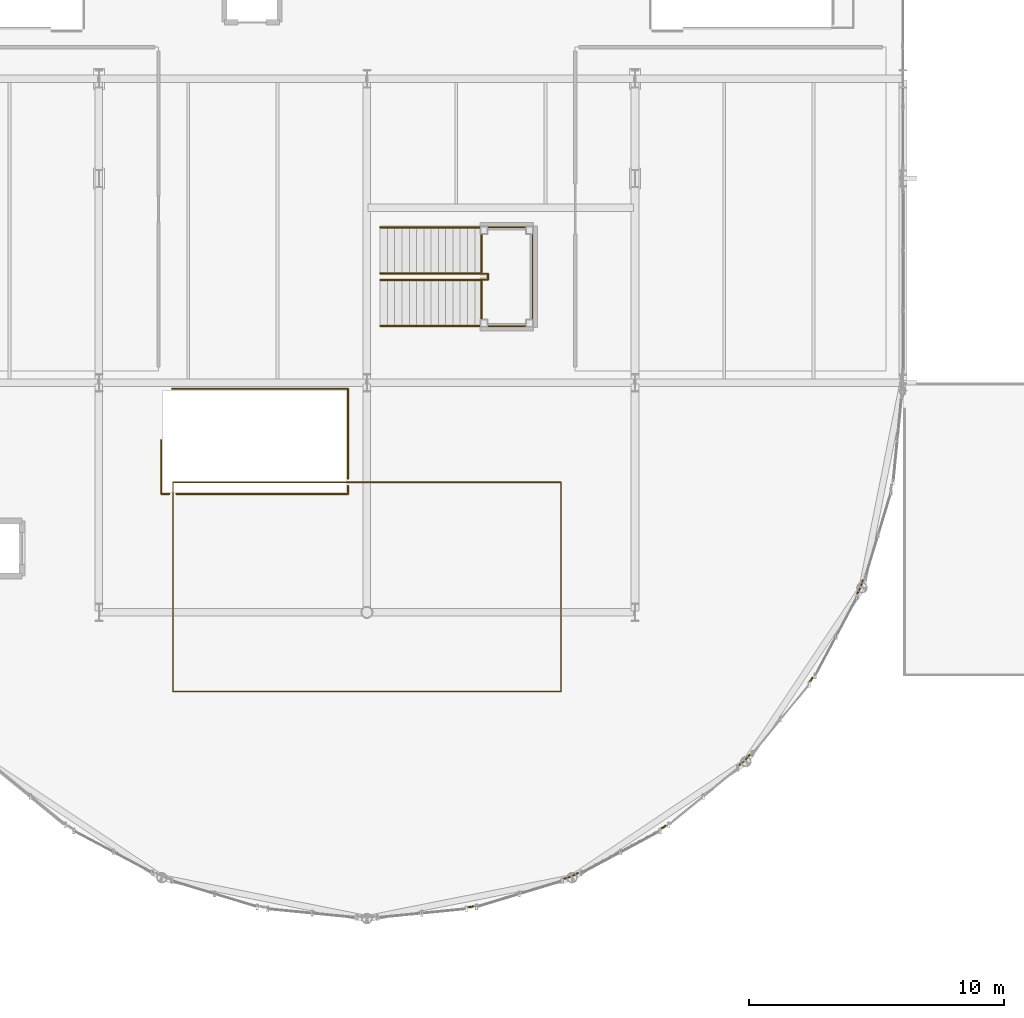
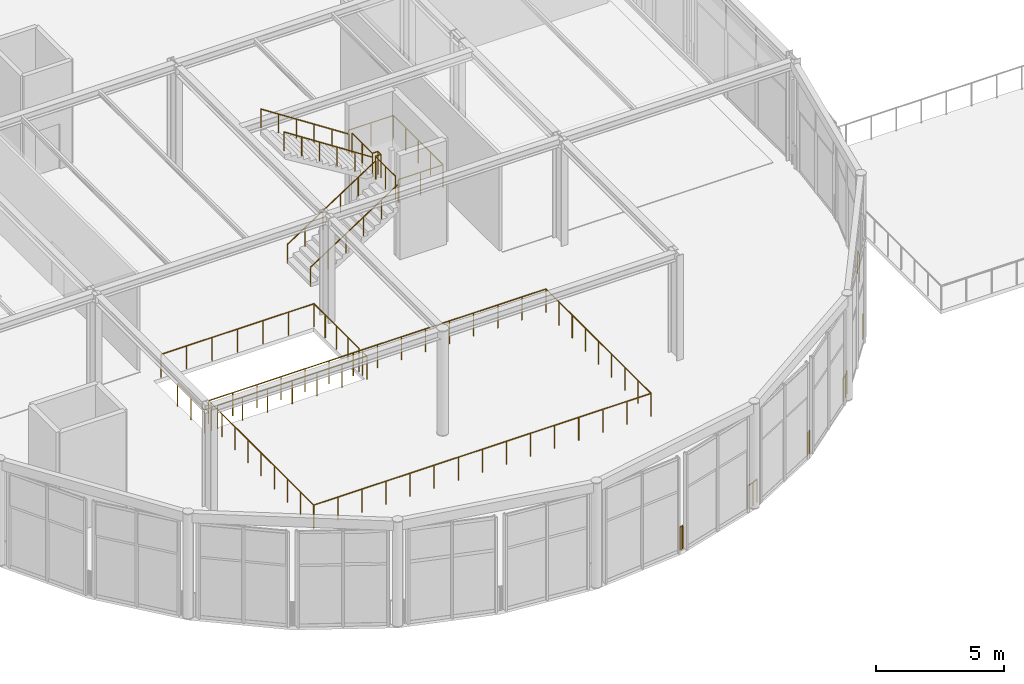
# One storey, part 172 of 195: 17 railings.
"""IFC4 building model written with IfcOpenShell, lengths in metres."""

from ifc_helpers import new_model, si_unit, direction, frame, origin, origin_2d, place, context, subcontext, project, spatial, circle, extrude, material, type_object, element, save


model = new_model("IFC4")

# Units and contexts
model_context = context("Model", 3, precision=1e-05, world=origin(), true_north=direction((0.0, 1.0)))
body_context = subcontext(model_context, "Body", "Model", "MODEL_VIEW")
ifc_project = project(units=[si_unit("LENGTHUNIT", "METRE"), si_unit("AREAUNIT", "SQUARE_METRE"), si_unit("VOLUMEUNIT", "CUBIC_METRE"), si_unit("PLANEANGLEUNIT", "RADIAN"), si_unit("MASSUNIT", "GRAM", prefix="KILO")], contexts=[model_context])

# Site, building, storey
site_placement = place(None, origin())
site = spatial("IfcSite", under=ifc_project, at=site_placement, CompositionType="ELEMENT")
building_placement = place(site_placement, origin())
building = spatial("IfcBuilding", under=site, at=building_placement, Name="Marlcrest Central Station", CompositionType="ELEMENT")
storey_placement = place(building_placement, frame((0.0, 0.0, 9.800048828125)))
storey = spatial("IfcBuildingStorey", under=building, at=storey_placement, Name="L02", CompositionType="ELEMENT", Elevation=9.800048828125)

# Railings
ifc_material_1 = material(Name="Stainless steel and laminated glass concourse balustrade", Category="steel")
railing_type_1 = type_object("IfcRailingType", Name="GR-02", PredefinedType="BALUSTRADE", material=ifc_material_1)
railing_1_placement = place(storey_placement, frame((100.39990234375, 10.39990234375, 0.0)))
element("IfcRailing", 1, at=railing_1_placement, inside=storey, type_object=railing_type_1, Name="grd-L02-0018", PredefinedType="BALUSTRADE", context=body_context, shape_type="SweptSolid", body=[
    extrude(circle(Radius=0.02392578125, at=origin_2d()), frame((0.0, 0.0, 1.09619140625), z_axis=(1.0, 0.0, 0.0), x_axis=(0.0, 1.0, 0.0)), (0.0, 0.0, 1.0), 15.2001953125),
    extrude(circle(Radius=0.02392578125, at=origin_2d()), frame((15.2001953125, 0.0, 1.09619140625), z_axis=(0.0, 1.0, 0.0), x_axis=(-1.0, 0.0, 0.0)), (0.0, 0.0, 1.0), 8.2001953125),
    extrude(circle(Radius=0.02392578125, at=origin_2d()), frame((15.2001953125, 8.2001953125, 1.09619140625), z_axis=(-1.0, 0.0, 0.0), x_axis=(0.0, -1.0, 0.0)), (0.0, 0.0, 1.0), 15.2001953125),
    extrude(circle(Radius=0.02392578125, at=origin_2d()), frame((0.0, 8.2001953125, 1.09619140625), z_axis=(0.0, -1.0, 0.0), x_axis=(1.0, 0.0, 0.0)), (0.0, 0.0, 1.0), 8.2001953125),
    extrude(circle(Radius=0.02099609375, at=origin_2d()), origin(), (0.0, 0.0, 1.0), 1.072021484375),
    extrude(circle(Radius=0.02099609375, at=origin_2d()), frame((1.085693359375, 0.0, 0.0)), (0.0, 0.0, 1.0), 1.072021484375),
    extrude(circle(Radius=0.02099609375, at=origin_2d()), frame((2.17138671875, 0.0, 0.0)), (0.0, 0.0, 1.0), 1.072021484375),
    extrude(circle(Radius=0.02099609375, at=origin_2d()), frame((3.257080078125, 0.0, 0.0)), (0.0, 0.0, 1.0), 1.072021484375),
    extrude(circle(Radius=0.02099609375, at=origin_2d()), frame((4.343017578125, 0.0, 0.0)), (0.0, 0.0, 1.0), 1.072021484375),
    extrude(circle(Radius=0.02099609375, at=origin_2d()), frame((5.4287109375, 0.0, 0.0)), (0.0, 0.0, 1.0), 1.072021484375),
    extrude(circle(Radius=0.02099609375, at=origin_2d()), frame((6.514404296875, 0.0, 0.0)), (0.0, 0.0, 1.0), 1.072021484375),
    extrude(circle(Radius=0.02099609375, at=origin_2d()), frame((7.60009765625, 0.0, 0.0)), (0.0, 0.0, 1.0), 1.072021484375),
    extrude(circle(Radius=0.02099609375, at=origin_2d()), frame((8.685791015625, 0.0, 0.0)), (0.0, 0.0, 1.0), 1.072021484375),
    extrude(circle(Radius=0.02099609375, at=origin_2d()), frame((9.771484375, 0.0, 0.0)), (0.0, 0.0, 1.0), 1.072021484375),
    extrude(circle(Radius=0.02099609375, at=origin_2d()), frame((10.857177734375, 0.0, 0.0)), (0.0, 0.0, 1.0), 1.072021484375),
    extrude(circle(Radius=0.02099609375, at=origin_2d()), frame((11.943115234375, 0.0, 0.0)), (0.0, 0.0, 1.0), 1.072021484375),
    extrude(circle(Radius=0.02099609375, at=origin_2d()), frame((13.02880859375, 0.0, 0.0)), (0.0, 0.0, 1.0), 1.072021484375),
    extrude(circle(Radius=0.02099609375, at=origin_2d()), frame((14.114501953125, 0.0, 0.0)), (0.0, 0.0, 1.0), 1.072021484375),
    extrude(circle(Radius=0.02099609375, at=origin_2d()), frame((15.2001953125, 0.0, 0.0)), (0.0, 0.0, 1.0), 1.072021484375),
    extrude(circle(Radius=0.02099609375, at=origin_2d()), frame((15.2001953125, 1.02490234375, 0.0)), (0.0, 0.0, 1.0), 1.072021484375),
    extrude(circle(Radius=0.02099609375, at=origin_2d()), frame((15.2001953125, 2.050048828125, 0.0)), (0.0, 0.0, 1.0), 1.072021484375),
    extrude(circle(Radius=0.02099609375, at=origin_2d()), frame((15.2001953125, 3.0751953125, 0.0)), (0.0, 0.0, 1.0), 1.072021484375),
    extrude(circle(Radius=0.02099609375, at=origin_2d()), frame((15.2001953125, 4.10009765625, 0.0)), (0.0, 0.0, 1.0), 1.072021484375),
    extrude(circle(Radius=0.02099609375, at=origin_2d()), frame((15.2001953125, 5.125, 0.0)), (0.0, 0.0, 1.0), 1.072021484375),
    extrude(circle(Radius=0.02099609375, at=origin_2d()), frame((15.2001953125, 6.150146484375, 0.0)), (0.0, 0.0, 1.0), 1.072021484375),
    extrude(circle(Radius=0.02099609375, at=origin_2d()), frame((15.2001953125, 7.17529296875, 0.0)), (0.0, 0.0, 1.0), 1.072021484375),
    extrude(circle(Radius=0.02099609375, at=origin_2d()), frame((15.2001953125, 8.2001953125, 0.0)), (0.0, 0.0, 1.0), 1.072021484375),
    extrude(circle(Radius=0.02099609375, at=origin_2d()), frame((14.114501953125, 8.2001953125, 0.0)), (0.0, 0.0, 1.0), 1.072021484375),
    extrude(circle(Radius=0.02099609375, at=origin_2d()), frame((13.02880859375, 8.2001953125, 0.0)), (0.0, 0.0, 1.0), 1.072021484375),
    extrude(circle(Radius=0.02099609375, at=origin_2d()), frame((11.943115234375, 8.2001953125, 0.0)), (0.0, 0.0, 1.0), 1.072021484375),
    extrude(circle(Radius=0.02099609375, at=origin_2d()), frame((10.857177734375, 8.2001953125, 0.0)), (0.0, 0.0, 1.0), 1.072021484375),
    extrude(circle(Radius=0.02099609375, at=origin_2d()), frame((9.771484375, 8.2001953125, 0.0)), (0.0, 0.0, 1.0), 1.072021484375),
    extrude(circle(Radius=0.02099609375, at=origin_2d()), frame((8.685791015625, 8.2001953125, 0.0)), (0.0, 0.0, 1.0), 1.072021484375),
    extrude(circle(Radius=0.02099609375, at=origin_2d()), frame((7.60009765625, 8.2001953125, 0.0)), (0.0, 0.0, 1.0), 1.072021484375),
    extrude(circle(Radius=0.02099609375, at=origin_2d()), frame((6.514404296875, 8.2001953125, 0.0)), (0.0, 0.0, 1.0), 1.072021484375),
    extrude(circle(Radius=0.02099609375, at=origin_2d()), frame((5.4287109375, 8.2001953125, 0.0)), (0.0, 0.0, 1.0), 1.072021484375),
    extrude(circle(Radius=0.02099609375, at=origin_2d()), frame((4.343017578125, 8.2001953125, 0.0)), (0.0, 0.0, 1.0), 1.072021484375),
    extrude(circle(Radius=0.02099609375, at=origin_2d()), frame((3.257080078125, 8.2001953125, 0.0)), (0.0, 0.0, 1.0), 1.072021484375),
    extrude(circle(Radius=0.02099609375, at=origin_2d()), frame((2.17138671875, 8.2001953125, 0.0)), (0.0, 0.0, 1.0), 1.072021484375),
    extrude(circle(Radius=0.02099609375, at=origin_2d()), frame((1.085693359375, 8.2001953125, 0.0)), (0.0, 0.0, 1.0), 1.072021484375),
    extrude(circle(Radius=0.02099609375, at=origin_2d()), frame((0.0, 8.2001953125, 0.0)), (0.0, 0.0, 1.0), 1.072021484375),
    extrude(circle(Radius=0.02099609375, at=origin_2d()), frame((0.0, 7.17529296875, 0.0)), (0.0, 0.0, 1.0), 1.072021484375),
    extrude(circle(Radius=0.02099609375, at=origin_2d()), frame((0.0, 6.150146484375, 0.0)), (0.0, 0.0, 1.0), 1.072021484375),
    extrude(circle(Radius=0.02099609375, at=origin_2d()), frame((0.0, 5.125, 0.0)), (0.0, 0.0, 1.0), 1.072021484375),
    extrude(circle(Radius=0.02099609375, at=origin_2d()), frame((0.0, 4.10009765625, 0.0)), (0.0, 0.0, 1.0), 1.072021484375),
    extrude(circle(Radius=0.02099609375, at=origin_2d()), frame((0.0, 3.0751953125, 0.0)), (0.0, 0.0, 1.0), 1.072021484375),
    extrude(circle(Radius=0.02099609375, at=origin_2d()), frame((0.0, 2.050048828125, 0.0)), (0.0, 0.0, 1.0), 1.072021484375),
    extrude(circle(Radius=0.02099609375, at=origin_2d()), frame((0.0, 1.02490234375, 0.0)), (0.0, 0.0, 1.0), 1.072021484375),
])
railing_2_placement = place(storey_placement, frame((112.469970703125, 24.7099609375, 2.599853515625)))
element("IfcRailing", 2, at=railing_2_placement, inside=storey, type_object=railing_type_1, Name="hr-L02-00195", PredefinedType="BALUSTRADE", context=body_context, shape_type="SweptSolid", body=[
    extrude(circle(Radius=0.02392578125, at=origin_2d()), frame((0.0, 0.0, 1.09619140625), z_axis=(1.0, 0.0, 0.0), x_axis=(0.0, 1.0, 0.0)), (0.0, 0.0, 1.0), 2.02001953125),
    extrude(circle(Radius=0.02392578125, at=origin_2d()), frame((2.02001953125, 0.0, 1.09619140625), z_axis=(0.0, 1.0, 0.0), x_axis=(-1.0, 0.0, 0.0)), (0.0, 0.0, 1.0), 3.880126953125),
    extrude(circle(Radius=0.02392578125, at=origin_2d()), frame((2.02001953125, 3.880126953125, 1.09619140625), z_axis=(-1.0, 0.0, 0.0), x_axis=(0.0, -1.0, 0.0)), (0.0, 0.0, 1.0), 2.02001953125),
    extrude(circle(Radius=0.02099609375, at=origin_2d()), origin(), (0.0, 0.0, 1.0), 1.072021484375),
    extrude(circle(Radius=0.02099609375, at=origin_2d()), frame((1.010009765625, 0.0, 0.0)), (0.0, 0.0, 1.0), 1.072021484375),
    extrude(circle(Radius=0.02099609375, at=origin_2d()), frame((2.02001953125, 0.0, 0.0)), (0.0, 0.0, 1.0), 1.072021484375),
    extrude(circle(Radius=0.02099609375, at=origin_2d()), frame((2.02001953125, 0.969970703125, 0.0)), (0.0, 0.0, 1.0), 1.072021484375),
    extrude(circle(Radius=0.02099609375, at=origin_2d()), frame((2.02001953125, 1.93994140625, 0.0)), (0.0, 0.0, 1.0), 1.072021484375),
    extrude(circle(Radius=0.02099609375, at=origin_2d()), frame((2.02001953125, 2.91015625, 0.0)), (0.0, 0.0, 1.0), 1.072021484375),
    extrude(circle(Radius=0.02099609375, at=origin_2d()), frame((2.02001953125, 3.880126953125, 0.0)), (0.0, 0.0, 1.0), 1.072021484375),
    extrude(circle(Radius=0.02099609375, at=origin_2d()), frame((1.010009765625, 3.880126953125, 0.0)), (0.0, 0.0, 1.0), 1.072021484375),
    extrude(circle(Radius=0.02099609375, at=origin_2d()), frame((0.0, 3.880126953125, 0.0)), (0.0, 0.0, 1.0), 1.072021484375),
])
railing_3_placement = place(storey_placement, frame((127.428955078125, 14.762939453125, 0.0)))
element("IfcRailing", 3, at=railing_3_placement, inside=storey, type_object=railing_type_1, Name="hr-L02-00513", PredefinedType="BALUSTRADE", context=body_context, shape_type="SweptSolid", body=[
    extrude(circle(Radius=0.02392578125, at=origin_2d()), frame((0.0, 0.0, 1.09619140625), z_axis=(-0.291228991205, -0.956653372273, 0.0), x_axis=(0.956653372273, -0.291228991205, 0.0)), (0.0, 0.0, 1.0), 0.288330078125),
    extrude(circle(Radius=0.02392578125, at=origin_2d()), frame((-0.083984375, -0.27587890625, 1.09619140625), z_axis=(-0.469134550261, -0.883126703113, 0.0), x_axis=(0.883126703113, -0.469134550261, 0.0)), (0.0, 0.0, 1.0), 0.287841796875),
    extrude(circle(Radius=0.02099609375, at=origin_2d()), origin(), (0.0, 0.0, 1.0), 1.072021484375),
    extrude(circle(Radius=0.02099609375, at=origin_2d()), frame((-0.083984375, -0.27587890625, 0.0)), (0.0, 0.0, 1.0), 1.072021484375),
    extrude(circle(Radius=0.02099609375, at=origin_2d()), frame((-0.218994140625, -0.530029296875, 0.0)), (0.0, 0.0, 1.0), 1.072021484375),
])
railing_4_placement = place(storey_placement, frame((125.452880859375, 10.946044921875, 0.0)))
element("IfcRailing", 4, at=railing_4_placement, inside=storey, type_object=railing_type_1, Name="hr-L02-00514", PredefinedType="BALUSTRADE", context=body_context, shape_type="SweptSolid", body=[
    extrude(circle(Radius=0.02392578125, at=origin_2d()), frame((0.0, 0.0, 1.09619140625), z_axis=(-0.464410514373, -0.885620050665, 0.0), x_axis=(0.885620050665, -0.464410514373, 0.0)), (0.0, 0.0, 1.0), 0.09033203125),
    extrude(circle(Radius=0.02392578125, at=origin_2d()), frame((-0.0419921875, -0.080078125, 1.09619140625), z_axis=(-0.636952090501, -0.770903388504, 0.0), x_axis=(0.770903388504, -0.636952090501, 0.0)), (0.0, 0.0, 1.0), 0.08935546875),
    extrude(circle(Radius=0.02099609375, at=origin_2d()), origin(), (0.0, 0.0, 1.0), 1.072021484375),
    extrude(circle(Radius=0.02099609375, at=origin_2d()), frame((-0.0419921875, -0.080078125, 0.0)), (0.0, 0.0, 1.0), 1.072021484375),
    extrude(circle(Radius=0.02099609375, at=origin_2d()), frame((-0.098876953125, -0.14892578125, 0.0)), (0.0, 0.0, 1.0), 1.072021484375),
])
railing_5_placement = place(storey_placement, frame((122.989013671875, 7.916015625, 0.0)))
element("IfcRailing", 5, at=railing_5_placement, inside=storey, type_object=railing_type_1, Name="hr-L02-00515", PredefinedType="BALUSTRADE", context=body_context, shape_type="SweptSolid", body=[
    extrude(circle(Radius=0.02392578125, at=origin_2d()), frame((0.0, 0.0, 1.09619140625), z_axis=(-0.636420822133, -0.771342036425, 0.0), x_axis=(0.771342036425, -0.636420822133, 0.0)), (0.0, 0.0, 1.0), 0.28759765625),
    extrude(circle(Radius=0.02392578125, at=origin_2d()), frame((-0.18310546875, -0.221923828125, 1.09619140625), z_axis=(-0.771342036425, -0.636420822133, 0.0), x_axis=(0.636420822133, -0.771342036425, 0.0)), (0.0, 0.0, 1.0), 0.28759765625),
    extrude(circle(Radius=0.02099609375, at=origin_2d()), origin(), (0.0, 0.0, 1.0), 1.072021484375),
    extrude(circle(Radius=0.02099609375, at=origin_2d()), frame((-0.18310546875, -0.221923828125, 0.0)), (0.0, 0.0, 1.0), 1.072021484375),
    extrude(circle(Radius=0.02099609375, at=origin_2d()), frame((-0.405029296875, -0.405029296875, 0.0)), (0.0, 0.0, 1.0), 1.072021484375),
])
railing_6_placement = place(storey_placement, frame((119.702880859375, 5.14599609375, 0.0)))
element("IfcRailing", 6, at=railing_6_placement, inside=storey, type_object=railing_type_1, Name="hr-L02-00516", PredefinedType="BALUSTRADE", context=body_context, shape_type="SweptSolid", body=[
    extrude(circle(Radius=0.02392578125, at=origin_2d()), frame((0.0, 0.0, 1.09619140625), z_axis=(-0.770903388504, -0.636952090501, 0.0), x_axis=(0.636952090501, -0.770903388504, 0.0)), (0.0, 0.0, 1.0), 0.08935546875),
    extrude(circle(Radius=0.02392578125, at=origin_2d()), frame((-0.06884765625, -0.056884765625, 1.09619140625), z_axis=(-0.885620050665, -0.464410514373, 0.0), x_axis=(0.464410514373, -0.885620050665, 0.0)), (0.0, 0.0, 1.0), 0.09033203125),
    extrude(circle(Radius=0.02099609375, at=origin_2d()), origin(), (0.0, 0.0, 1.0), 1.072021484375),
    extrude(circle(Radius=0.02099609375, at=origin_2d()), frame((-0.06884765625, -0.056884765625, 0.0)), (0.0, 0.0, 1.0), 1.072021484375),
    extrude(circle(Radius=0.02099609375, at=origin_2d()), frame((-0.14892578125, -0.098876953125, 0.0)), (0.0, 0.0, 1.0), 1.072021484375),
])
railing_7_placement = place(storey_placement, frame((116.26708984375, 3.2900390625, 0.0)))
element("IfcRailing", 7, at=railing_7_placement, inside=storey, type_object=railing_type_1, Name="hr-L02-00517", PredefinedType="BALUSTRADE", context=body_context, shape_type="SweptSolid", body=[
    extrude(circle(Radius=0.02392578125, at=origin_2d()), frame((0.0, 0.0, 1.09619140625), z_axis=(-0.883126703113, -0.469134550261, 0.0), x_axis=(0.469134550261, -0.883126703113, 0.0)), (0.0, 0.0, 1.0), 0.287841796875),
    extrude(circle(Radius=0.02392578125, at=origin_2d()), frame((-0.254150390625, -0.135009765625, 1.09619140625), z_axis=(-0.956653372273, -0.291228991205, 0.0), x_axis=(0.291228991205, -0.956653372273, 0.0)), (0.0, 0.0, 1.0), 0.288330078125),
    extrude(circle(Radius=0.02099609375, at=origin_2d()), origin(), (0.0, 0.0, 1.0), 1.072021484375),
    extrude(circle(Radius=0.02099609375, at=origin_2d()), frame((-0.254150390625, -0.135009765625, 0.0)), (0.0, 0.0, 1.0), 1.072021484375),
    extrude(circle(Radius=0.02099609375, at=origin_2d()), frame((-0.530029296875, -0.218994140625, 0.0)), (0.0, 0.0, 1.0), 1.072021484375),
])
railing_8_placement = place(storey_placement, frame((112.1708984375, 1.989013671875, 0.0)))
element("IfcRailing", 8, at=railing_8_placement, inside=storey, type_object=railing_type_1, Name="hr-L02-00518", PredefinedType="BALUSTRADE", context=body_context, shape_type="SweptSolid", body=[
    extrude(circle(Radius=0.02392578125, at=origin_2d()), frame((0.0, 0.0, 1.09619140625), z_axis=(-0.956772580042, -0.290837119501, 0.0), x_axis=(0.290837119501, -0.956772580042, 0.0)), (0.0, 0.0, 1.0), 0.08984375),
    extrude(circle(Radius=0.02392578125, at=origin_2d()), frame((-0.0859375, -0.026123046875, 1.09619140625), z_axis=(-0.995144874966, -0.0984209217, 0.0), x_axis=(0.0984209217, -0.995144874966, 0.0)), (0.0, 0.0, 1.0), 0.08935546875),
    extrude(circle(Radius=0.02099609375, at=origin_2d()), origin(), (0.0, 0.0, 1.0), 1.072021484375),
    extrude(circle(Radius=0.02099609375, at=origin_2d()), frame((-0.0859375, -0.026123046875, 0.0)), (0.0, 0.0, 1.0), 1.072021484375),
    extrude(circle(Radius=0.02099609375, at=origin_2d()), frame((-0.1748046875, -0.034912109375, 0.0)), (0.0, 0.0, 1.0), 1.072021484375),
])
railing_9_placement = place(storey_placement, frame((99.93994140625, 18.139892578125, 0.0)))
element("IfcRailing", 9, at=railing_9_placement, inside=storey, type_object=railing_type_1, Name="hr-L02-00543", PredefinedType="BALUSTRADE", context=body_context, shape_type="SweptSolid", body=[
    extrude(circle(Radius=0.02392578125, at=origin_2d()), frame((0.0, 0.0, 1.09619140625), z_axis=(1.0, 0.0, 0.0), x_axis=(0.0, 1.0, 0.0)), (0.0, 0.0, 1.0), 0.320068359375),
    extrude(circle(Radius=0.02099609375, at=origin_2d()), origin(), (0.0, 0.0, 1.0), 1.072021484375),
    extrude(circle(Radius=0.02099609375, at=origin_2d()), frame((0.320068359375, 0.0, 0.0)), (0.0, 0.0, 1.0), 1.072021484375),
])
railing_10_placement = place(storey_placement, frame((100.5400390625, 18.139892578125, 0.0)))
element("IfcRailing", 10, at=railing_10_placement, inside=storey, type_object=railing_type_1, Name="hr-L02-00544", PredefinedType="BALUSTRADE", context=body_context, shape_type="SweptSolid", body=[
    extrude(circle(Radius=0.02392578125, at=origin_2d()), frame((0.0, 0.0, 1.09619140625), z_axis=(1.0, 0.0, 0.0), x_axis=(0.0, 1.0, 0.0)), (0.0, 0.0, 1.0), 6.719970703125),
    extrude(circle(Radius=0.02392578125, at=origin_2d()), frame((6.719970703125, 0.0, 1.09619140625), z_axis=(0.0, 1.0, 0.0), x_axis=(-1.0, 0.0, 0.0)), (0.0, 0.0, 1.0), 0.320068359375),
    extrude(circle(Radius=0.02099609375, at=origin_2d()), origin(), (0.0, 0.0, 1.0), 1.072021484375),
    extrude(circle(Radius=0.02099609375, at=origin_2d()), frame((1.1201171875, 0.0, 0.0)), (0.0, 0.0, 1.0), 1.072021484375),
    extrude(circle(Radius=0.02099609375, at=origin_2d()), frame((2.239990234375, 0.0, 0.0)), (0.0, 0.0, 1.0), 1.072021484375),
    extrude(circle(Radius=0.02099609375, at=origin_2d()), frame((3.35986328125, 0.0, 0.0)), (0.0, 0.0, 1.0), 1.072021484375),
    extrude(circle(Radius=0.02099609375, at=origin_2d()), frame((4.47998046875, 0.0, 0.0)), (0.0, 0.0, 1.0), 1.072021484375),
    extrude(circle(Radius=0.02099609375, at=origin_2d()), frame((5.60009765625, 0.0, 0.0)), (0.0, 0.0, 1.0), 1.072021484375),
    extrude(circle(Radius=0.02099609375, at=origin_2d()), frame((6.719970703125, 0.0, 0.0)), (0.0, 0.0, 1.0), 1.072021484375),
    extrude(circle(Radius=0.02099609375, at=origin_2d()), frame((6.719970703125, 0.320068359375, 0.0)), (0.0, 0.0, 1.0), 1.072021484375),
])
railing_11_placement = place(storey_placement, frame((107.260009765625, 18.739990234375, 0.0)))
element("IfcRailing", 11, at=railing_11_placement, inside=storey, type_object=railing_type_1, Name="hr-L02-00545", PredefinedType="BALUSTRADE", context=body_context, shape_type="SweptSolid", body=[
    extrude(circle(Radius=0.02392578125, at=origin_2d()), frame((0.0, 0.0, 1.09619140625), z_axis=(0.0, 1.0, 0.0), x_axis=(-1.0, 0.0, 0.0)), (0.0, 0.0, 1.0), 3.52001953125),
    extrude(circle(Radius=0.02392578125, at=origin_2d()), frame((0.0, 3.52001953125, 1.09619140625), z_axis=(-1.0, 0.0, 0.0), x_axis=(0.0, -1.0, 0.0)), (0.0, 0.0, 1.0), 6.889892578125),
    extrude(circle(Radius=0.02099609375, at=origin_2d()), origin(), (0.0, 0.0, 1.0), 1.072021484375),
    extrude(circle(Radius=0.02099609375, at=origin_2d()), frame((0.0, 0.8798828125, 0.0)), (0.0, 0.0, 1.0), 1.072021484375),
    extrude(circle(Radius=0.02099609375, at=origin_2d()), frame((0.0, 1.760009765625, 0.0)), (0.0, 0.0, 1.0), 1.072021484375),
    extrude(circle(Radius=0.02099609375, at=origin_2d()), frame((0.0, 2.64013671875, 0.0)), (0.0, 0.0, 1.0), 1.072021484375),
    extrude(circle(Radius=0.02099609375, at=origin_2d()), frame((0.0, 3.52001953125, 0.0)), (0.0, 0.0, 1.0), 1.072021484375),
    extrude(circle(Radius=0.02099609375, at=origin_2d()), frame((-1.1484375, 3.52001953125, 0.0)), (0.0, 0.0, 1.0), 1.072021484375),
    extrude(circle(Radius=0.02099609375, at=origin_2d()), frame((-2.296630859375, 3.52001953125, 0.0)), (0.0, 0.0, 1.0), 1.072021484375),
    extrude(circle(Radius=0.02099609375, at=origin_2d()), frame((-3.44482421875, 3.52001953125, 0.0)), (0.0, 0.0, 1.0), 1.072021484375),
    extrude(circle(Radius=0.02099609375, at=origin_2d()), frame((-4.59326171875, 3.52001953125, 0.0)), (0.0, 0.0, 1.0), 1.072021484375),
    extrude(circle(Radius=0.02099609375, at=origin_2d()), frame((-5.74169921875, 3.52001953125, 0.0)), (0.0, 0.0, 1.0), 1.072021484375),
    extrude(circle(Radius=0.02099609375, at=origin_2d()), frame((-6.889892578125, 3.52001953125, 0.0)), (0.0, 0.0, 1.0), 1.072021484375),
])
railing_12_placement = place(storey_placement, frame((99.93994140625, 20.239990234375, 0.0)))
element("IfcRailing", 12, at=railing_12_placement, inside=storey, type_object=railing_type_1, Name="hr-L02-00546", PredefinedType="BALUSTRADE", context=body_context, shape_type="SweptSolid", body=[
    extrude(circle(Radius=0.02392578125, at=origin_2d()), frame((0.0, 0.0, 1.09619140625), z_axis=(0.0, -1.0, 0.0), x_axis=(1.0, 0.0, 0.0)), (0.0, 0.0, 1.0), 2.10009765625),
    extrude(circle(Radius=0.02099609375, at=origin_2d()), origin(), (0.0, 0.0, 1.0), 1.072021484375),
    extrude(circle(Radius=0.02099609375, at=origin_2d()), frame((0.0, -1.050048828125, 0.0)), (0.0, 0.0, 1.0), 1.072021484375),
    extrude(circle(Radius=0.02099609375, at=origin_2d()), frame((0.0, -2.10009765625, 0.0)), (0.0, 0.0, 1.0), 1.072021484375),
])
railing_13_placement = place(storey_placement, frame((112.489990234375, 24.9599609375, 2.599853515625)))
element("IfcRailing", 13, at=railing_13_placement, inside=storey, type_object=railing_type_1, Name="hr-L02-00593", PredefinedType="BALUSTRADE", context=body_context, shape_type="SweptSolid", body=[
    extrude(circle(Radius=0.02392578125, at=origin_2d()), frame((0.0, 0.0, 1.09619140625), z_axis=(0.0, 1.0, 0.0), x_axis=(-1.0, 0.0, 0.0)), (0.0, 0.0, 1.0), 1.570068359375),
    extrude(circle(Radius=0.02392578125, at=origin_2d()), frame((0.0, 1.570068359375, 1.09619140625), z_axis=(1.0, 0.0, 0.0), x_axis=(0.0, 1.0, 0.0)), (0.0, 0.0, 1.0), 0.25),
    extrude(circle(Radius=0.02392578125, at=origin_2d()), frame((0.25, 1.570068359375, 1.09619140625), z_axis=(0.0, 1.0, 0.0), x_axis=(-1.0, 0.0, 0.0)), (0.0, 0.0, 1.0), 0.239990234375),
    extrude(circle(Radius=0.02392578125, at=origin_2d()), frame((0.25, 1.81005859375, 1.09619140625), z_axis=(-1.0, 0.0, 0.0), x_axis=(0.0, -1.0, 0.0)), (0.0, 0.0, 1.0), 0.25),
    extrude(circle(Radius=0.02392578125, at=origin_2d()), frame((0.0, 1.81005859375, 1.09619140625), z_axis=(0.0, 1.0, 0.0), x_axis=(-1.0, 0.0, 0.0)), (0.0, 0.0, 1.0), 1.570068359375),
    extrude(circle(Radius=0.02099609375, at=origin_2d()), origin(), (0.0, 0.0, 1.0), 1.072021484375),
    extrude(circle(Radius=0.02099609375, at=origin_2d()), frame((0.0, 0.78515625, 0.0)), (0.0, 0.0, 1.0), 1.072021484375),
    extrude(circle(Radius=0.02099609375, at=origin_2d()), frame((0.0, 1.570068359375, 0.0)), (0.0, 0.0, 1.0), 1.072021484375),
    extrude(circle(Radius=0.02099609375, at=origin_2d()), frame((0.25, 1.570068359375, 0.0)), (0.0, 0.0, 1.0), 1.072021484375),
    extrude(circle(Radius=0.02099609375, at=origin_2d()), frame((0.25, 1.81005859375, 0.0)), (0.0, 0.0, 1.0), 1.072021484375),
    extrude(circle(Radius=0.02099609375, at=origin_2d()), frame((0.0, 1.81005859375, 0.0)), (0.0, 0.0, 1.0), 1.072021484375),
    extrude(circle(Radius=0.02099609375, at=origin_2d()), frame((0.0, 2.59521484375, 0.0)), (0.0, 0.0, 1.0), 1.072021484375),
    extrude(circle(Radius=0.02099609375, at=origin_2d()), frame((0.0, 3.380126953125, 0.0)), (0.0, 0.0, 1.0), 1.072021484375),
])
ifc_material_2 = material(Name="Brushed stainless steel handrail", Category="steel")
railing_type_2 = type_object("IfcRailingType", Name="HR-01", PredefinedType="HANDRAIL", material=ifc_material_2)
railing_14_placement = place(storey_placement, frame((108.52001953125, 24.719970703125, 0.0)))
element("IfcRailing", 14, at=railing_14_placement, inside=storey, type_object=railing_type_2, Name="hr-L02-00191", PredefinedType="HANDRAIL", context=body_context, shape_type="SweptSolid", body=[
    extrude(circle(Radius=0.02392578125, at=origin_2d()), frame((0.0, 0.0, 0.89599609375), z_axis=(0.837832859484, 0.0, 0.545926826204), x_axis=(0.0, 1.0, 0.0)), (0.0, 0.0, 1.0), 4.76220703125),
    extrude(circle(Radius=0.02099609375, at=origin_2d()), origin(), (0.0, 0.0, 1.0), 0.871826171875),
    extrude(circle(Radius=0.02099609375, at=origin_2d()), frame((0.798095703125, 0.0, 0.52001953125)), (0.0, 0.0, 1.0), 0.871826171875),
    extrude(circle(Radius=0.02099609375, at=origin_2d()), frame((1.595947265625, 0.0, 1.0400390625)), (0.0, 0.0, 1.0), 0.871826171875),
    extrude(circle(Radius=0.02099609375, at=origin_2d()), frame((2.39404296875, 0.0, 1.559814453125)), (0.0, 0.0, 1.0), 0.871826171875),
    extrude(circle(Radius=0.02099609375, at=origin_2d()), frame((3.19189453125, 0.0, 2.079833984375)), (0.0, 0.0, 1.0), 0.871826171875),
    extrude(circle(Radius=0.02099609375, at=origin_2d()), frame((3.989990234375, 0.0, 2.599853515625)), (0.0, 0.0, 1.0), 0.871826171875),
])
railing_15_placement = place(storey_placement, frame((112.510009765625, 26.780029296875, 2.599853515625)))
element("IfcRailing", 15, at=railing_15_placement, inside=storey, type_object=railing_type_2, Name="hr-L02-00192", PredefinedType="HANDRAIL", context=body_context, shape_type="SweptSolid", body=[
    extrude(circle(Radius=0.02392578125, at=origin_2d()), frame((0.0, 0.0, 0.89599609375), z_axis=(-0.83780941074, 0.0, 0.545962811257), x_axis=(0.0, -1.0, 0.0)), (0.0, 0.0, 1.0), 4.762451171875),
    extrude(circle(Radius=0.02099609375, at=origin_2d()), origin(), (0.0, 0.0, 1.0), 0.871826171875),
    extrude(circle(Radius=0.02099609375, at=origin_2d()), frame((-0.798095703125, 0.0, 0.52001953125)), (0.0, 0.0, 1.0), 0.871826171875),
    extrude(circle(Radius=0.02099609375, at=origin_2d()), frame((-1.595947265625, 0.0, 1.0400390625)), (0.0, 0.0, 1.0), 0.871826171875),
    extrude(circle(Radius=0.02099609375, at=origin_2d()), frame((-2.39404296875, 0.0, 1.56005859375)), (0.0, 0.0, 1.0), 0.871826171875),
    extrude(circle(Radius=0.02099609375, at=origin_2d()), frame((-3.19189453125, 0.0, 2.080078125)), (0.0, 0.0, 1.0), 0.871826171875),
    extrude(circle(Radius=0.02099609375, at=origin_2d()), frame((-3.989990234375, 0.0, 2.60009765625)), (0.0, 0.0, 1.0), 0.871826171875),
])
railing_16_placement = place(storey_placement, frame((108.52001953125, 26.52001953125, 0.0)))
element("IfcRailing", 16, at=railing_16_placement, inside=storey, type_object=railing_type_2, Name="hr-L02-00193", PredefinedType="HANDRAIL", context=body_context, shape_type="SweptSolid", body=[
    extrude(circle(Radius=0.02392578125, at=origin_2d()), frame((0.0, 0.0, 0.89599609375), z_axis=(0.837832859484, 0.0, 0.545926826204), x_axis=(0.0, 1.0, 0.0)), (0.0, 0.0, 1.0), 4.76220703125),
    extrude(circle(Radius=0.02099609375, at=origin_2d()), origin(), (0.0, 0.0, 1.0), 0.871826171875),
    extrude(circle(Radius=0.02099609375, at=origin_2d()), frame((0.798095703125, 0.0, 0.52001953125)), (0.0, 0.0, 1.0), 0.871826171875),
    extrude(circle(Radius=0.02099609375, at=origin_2d()), frame((1.595947265625, 0.0, 1.0400390625)), (0.0, 0.0, 1.0), 0.871826171875),
    extrude(circle(Radius=0.02099609375, at=origin_2d()), frame((2.39404296875, 0.0, 1.559814453125)), (0.0, 0.0, 1.0), 0.871826171875),
    extrude(circle(Radius=0.02099609375, at=origin_2d()), frame((3.19189453125, 0.0, 2.079833984375)), (0.0, 0.0, 1.0), 0.871826171875),
    extrude(circle(Radius=0.02099609375, at=origin_2d()), frame((3.989990234375, 0.0, 2.599853515625)), (0.0, 0.0, 1.0), 0.871826171875),
])
railing_17_placement = place(storey_placement, frame((112.510009765625, 28.580078125, 2.599853515625)))
element("IfcRailing", 17, at=railing_17_placement, inside=storey, type_object=railing_type_2, Name="hr-L02-00194", PredefinedType="HANDRAIL", context=body_context, shape_type="SweptSolid", body=[
    extrude(circle(Radius=0.02392578125, at=origin_2d()), frame((0.0, 0.0, 0.89599609375), z_axis=(-0.83780941074, 0.0, 0.545962811257), x_axis=(0.0, -1.0, 0.0)), (0.0, 0.0, 1.0), 4.762451171875),
    extrude(circle(Radius=0.02099609375, at=origin_2d()), origin(), (0.0, 0.0, 1.0), 0.871826171875),
    extrude(circle(Radius=0.02099609375, at=origin_2d()), frame((-0.798095703125, 0.0, 0.52001953125)), (0.0, 0.0, 1.0), 0.871826171875),
    extrude(circle(Radius=0.02099609375, at=origin_2d()), frame((-1.595947265625, 0.0, 1.0400390625)), (0.0, 0.0, 1.0), 0.871826171875),
    extrude(circle(Radius=0.02099609375, at=origin_2d()), frame((-2.39404296875, 0.0, 1.56005859375)), (0.0, 0.0, 1.0), 0.871826171875),
    extrude(circle(Radius=0.02099609375, at=origin_2d()), frame((-3.19189453125, 0.0, 2.080078125)), (0.0, 0.0, 1.0), 0.871826171875),
    extrude(circle(Radius=0.02099609375, at=origin_2d()), frame((-3.989990234375, 0.0, 2.60009765625)), (0.0, 0.0, 1.0), 0.871826171875),
])

save(model, "model.ifc")
